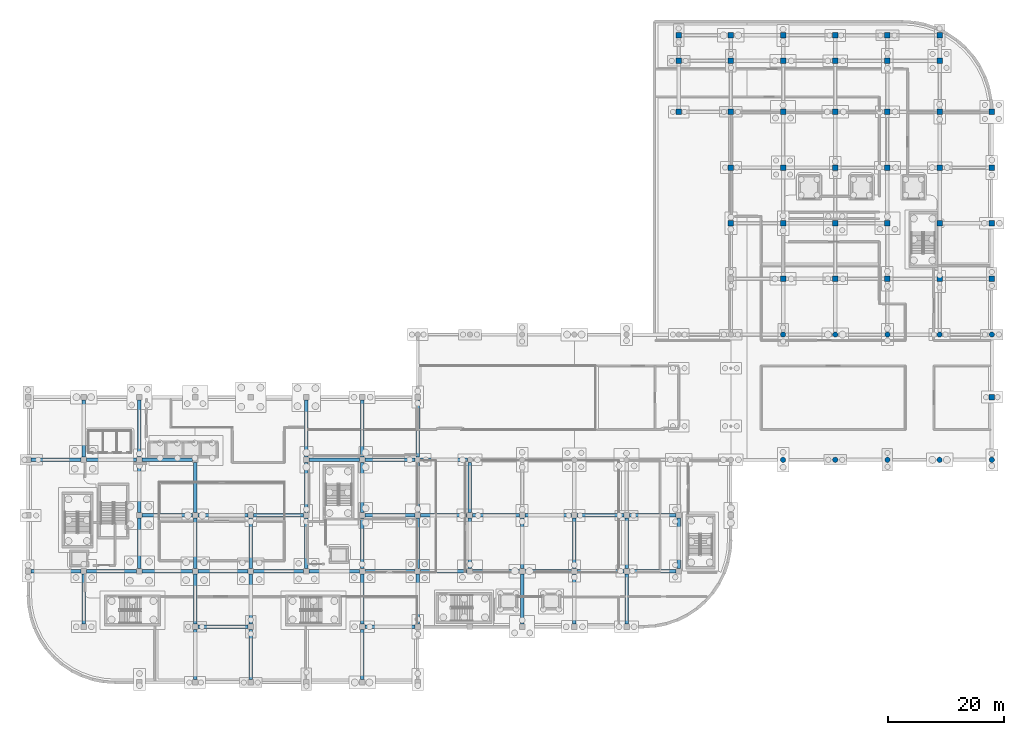
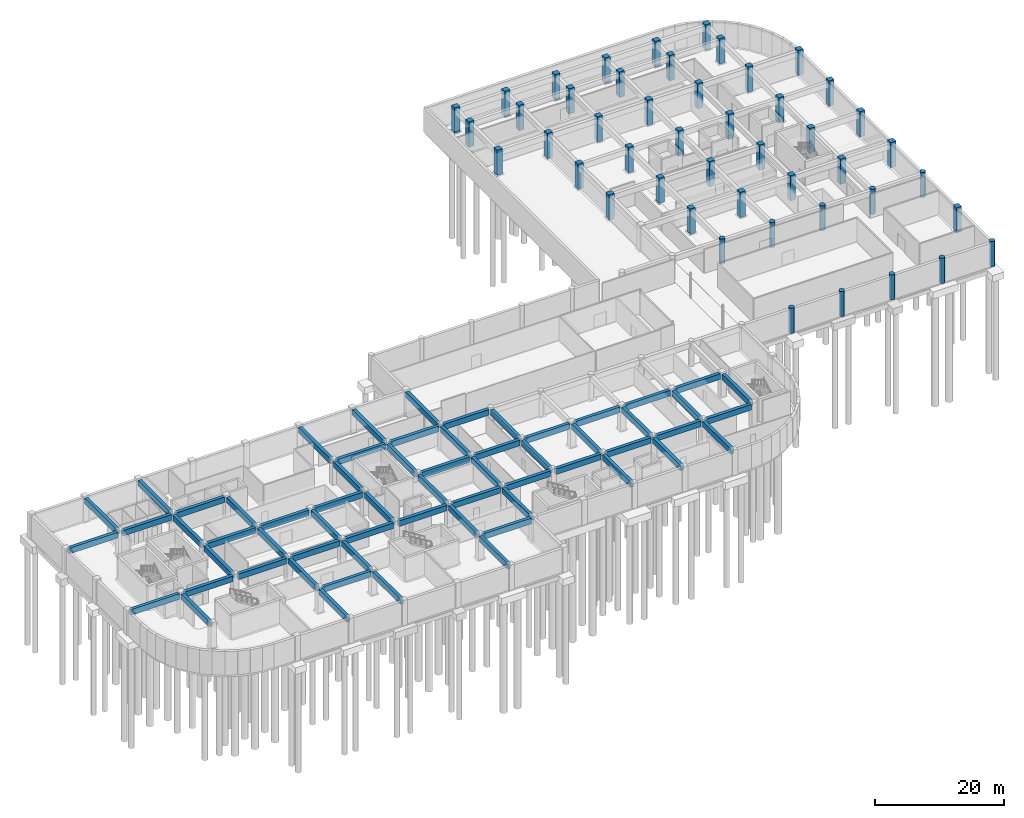
# One storey, part 10 of 47: 62 beams, 47 columns.
"""IFC4 building model written with IfcOpenShell, lengths in metres."""

from ifc_helpers import new_model, si_unit, direction, frame, origin, origin_2d, place, context, subcontext, project, spatial, rectangle, circle, extrude, material, material_profile, profile_set, type_object, element, save


model = new_model("IFC4")

# Units and contexts
model_context = context("Model", 3, precision=1e-05, world=origin(), true_north=direction((0.0, 1.0)))
body_context = subcontext(model_context, "Body", "Model", "MODEL_VIEW")
ifc_project = project(units=[si_unit("LENGTHUNIT", "METRE"), si_unit("AREAUNIT", "SQUARE_METRE"), si_unit("VOLUMEUNIT", "CUBIC_METRE"), si_unit("PLANEANGLEUNIT", "RADIAN"), si_unit("MASSUNIT", "GRAM", prefix="KILO")], contexts=[model_context])

# Site, building, storey
site_placement = place(None, origin())
site = spatial("IfcSite", under=ifc_project, at=site_placement, CompositionType="ELEMENT")
building_placement = place(site_placement, origin())
building = spatial("IfcBuilding", under=site, at=building_placement, Name="Cendralis Terraced Arcade", CompositionType="ELEMENT")
storey_placement = place(building_placement, frame((0.0, 0.0, -4.800048828125)))
storey = spatial("IfcBuildingStorey", under=building, at=storey_placement, Name="B1", CompositionType="ELEMENT", Elevation=-4.800048828125)

# Columns
ifc_material_1 = material(Name="Concrete f'c 42 MPa", Category="concrete")
ifc_material_profile_1 = material_profile(ifc_material_1, rectangle(XDim=0.949951171875, YDim=0.949951171875, at=origin_2d()), Name="RC-COL-950x950", Category="LoadBearing")
ifc_profile_set_1 = profile_set([ifc_material_profile_1], Name="Concrete f'c 42 MPa")
column_type_1 = type_object("IfcColumnType", Name="COL-950", PredefinedType="COLUMN", material=ifc_profile_set_1)
for number, where, z_axis, x_axis, name in (
    (1, (112.199951171875, 98.39990234375, 0.0), (0.0, 0.0, 1.0), (1.0, 0.0, 0.0), "Reinforced Concrete Column 13-L (B1)"),
    (2, (112.199951171875, 107.199951171875, 0.0), (0.0, 0.0, 1.0), (1.0, 0.0, 0.0), "Reinforced Concrete Column 13-M (B1)"),
    (3, (112.199951171875, 111.60009765625, 0.0), (0.0, 0.0, 1.0), (1.0, 0.0, 0.0), "Reinforced Concrete Column 13-N (B1)"),
    (4, (121.199951171875, 79.199951171875, 0.0), (0.0, 0.0, 1.0), (1.0, 0.0, 0.0), "Reinforced Concrete Column 14-J (B1)"),
    (5, (121.199951171875, 88.800048828125, 0.0), (0.0, 0.0, 1.0), (1.0, 0.0, 0.0), "Reinforced Concrete Column 14-K (B1)"),
    (6, (121.199951171875, 98.39990234375, 0.0), (0.0, 0.0, 1.0), (1.0, 0.0, 0.0), "Reinforced Concrete Column 14-L (B1)"),
    (7, (121.199951171875, 107.199951171875, 0.0), (0.0, 0.0, 1.0), (1.0, 0.0, 0.0), "Reinforced Concrete Column 14-M (B1)"),
    (8, (121.199951171875, 111.60009765625, 0.0), (0.0, 0.0, 1.0), (1.0, 0.0, 0.0), "Reinforced Concrete Column 14-N (B1)"),
    (9, (130.199951171875, 69.60009765625, 0.0), (0.0, 0.0, 1.0), (1.0, 0.0, 0.0), "Reinforced Concrete Column 15-H (B1)"),
    (10, (130.199951171875, 79.199951171875, 0.0), (0.0, 0.0, 1.0), (1.0, 0.0, 0.0), "Reinforced Concrete Column 15-J (B1)"),
    (11, (130.199951171875, 88.800048828125, 0.0), (0.0, 0.0, 1.0), (1.0, 0.0, 0.0), "Reinforced Concrete Column 15-K (B1)"),
    (12, (130.199951171875, 98.39990234375, 0.0), (0.0, 0.0, 1.0), (1.0, 0.0, 0.0), "Reinforced Concrete Column 15-L (B1)"),
    (13, (130.199951171875, 107.199951171875, 0.0), (0.0, 0.0, 1.0), (1.0, 0.0, 0.0), "Reinforced Concrete Column 15-M (B1)"),
    (14, (130.199951171875, 111.60009765625, 0.0), (0.0, 0.0, 1.0), (1.0, 0.0, 0.0), "Reinforced Concrete Column 15-N (B1)"),
    (15, (139.199951171875, 69.60009765625, 0.0), (0.0, 0.0, 1.0), (1.0, 0.0, 0.0), "Reinforced Concrete Column 16-H (B1)"),
    (16, (139.199951171875, 79.199951171875, 0.0), (0.0, 0.0, 1.0), (1.0, 0.0, 0.0), "Reinforced Concrete Column 16-J (B1)"),
    (17, (139.199951171875, 88.800048828125, 0.0), (0.0, 0.0, 1.0), (1.0, 0.0, 0.0), "Reinforced Concrete Column 16-K (B1)"),
    (18, (139.199951171875, 98.39990234375, 0.0), (0.0, 0.0, 1.0), (1.0, 0.0, 0.0), "Reinforced Concrete Column 16-L (B1)"),
    (19, (139.199951171875, 107.199951171875, 0.0), (0.0, 0.0, 1.0), (1.0, 0.0, 0.0), "Reinforced Concrete Column 16-M (B1)"),
    (20, (139.199951171875, 111.60009765625, 0.0), (0.0, 0.0, 1.0), (1.0, 0.0, 0.0), "Reinforced Concrete Column 16-N (B1)"),
    (21, (148.199951171875, 69.60009765625, 0.0), (0.0, 0.0, 1.0), (1.0, 0.0, 0.0), "Reinforced Concrete Column 17-H (B1)"),
    (22, (148.199951171875, 79.199951171875, 0.0), (0.0, 0.0, 1.0), (1.0, 0.0, 0.0), "Reinforced Concrete Column 17-J (B1)"),
    (23, (148.199951171875, 88.800048828125, 0.0), (0.0, 0.0, 1.0), (1.0, 0.0, 0.0), "Reinforced Concrete Column 17-K (B1)"),
    (24, (148.199951171875, 98.39990234375, 0.0), (0.0, 0.0, 1.0), (1.0, 0.0, 0.0), "Reinforced Concrete Column 17-L (B1)"),
    (25, (148.199951171875, 107.199951171875, 0.0), (0.0, 0.0, 1.0), (1.0, 0.0, 0.0), "Reinforced Concrete Column 17-M (B1)"),
    (26, (148.199951171875, 111.60009765625, 0.0), (0.0, 0.0, 1.0), (1.0, 0.0, 0.0), "Reinforced Concrete Column 17-N (B1)"),
    (27, (157.199951171875, 69.60009765625, 0.0), (0.0, 0.0, 1.0), (1.0, 0.0, 0.0), "Reinforced Concrete Column 18-H (B1)"),
    (28, (157.199951171875, 79.199951171875, 0.0), (0.0, 0.0, 1.0), (1.0, 0.0, 0.0), "Reinforced Concrete Column 18-J (B1)"),
    (29, (157.199951171875, 88.800048828125, 0.0), (0.0, 0.0, 1.0), (1.0, 0.0, 0.0), "Reinforced Concrete Column 18-K (B1)"),
    (30, (157.199951171875, 98.39990234375, 0.0), (0.0, 0.0, 1.0), (1.0, 0.0, 0.0), "Reinforced Concrete Column 18-L (B1)"),
    (31, (157.199951171875, 107.199951171875, 0.0), (0.0, 0.0, 1.0), (1.0, 0.0, 0.0), "Reinforced Concrete Column 18-M (B1)"),
    (32, (157.199951171875, 111.60009765625, 0.0), (0.0, 0.0, 1.0), (1.0, 0.0, 0.0), "Reinforced Concrete Column 18-N (B1)"),
    (33, (166.199951171875, 49.199951171875, 0.0), (0.0, 0.0, 1.0), (1.0, 0.0, 0.0), "Reinforced Concrete Column 19-F (B1)"),
    (34, (166.199951171875, 69.60009765625, 0.0), (0.0, 0.0, 1.0), (1.0, 0.0, 0.0), "Reinforced Concrete Column 19-H (B1)"),
    (35, (166.199951171875, 79.199951171875, 0.0), (0.0, 0.0, 1.0), (1.0, 0.0, 0.0), "Reinforced Concrete Column 19-J (B1)"),
    (36, (166.199951171875, 88.800048828125, 0.0), (0.0, 0.0, 1.0), (1.0, 0.0, 0.0), "Reinforced Concrete Column 19-K (B1)"),
    (37, (166.199951171875, 98.39990234375, 0.0), (0.0, 0.0, 1.0), (1.0, 0.0, 0.0), "Reinforced Concrete Column 19-L (B1)"),
):
    element("IfcColumn", number, at=place(storey_placement, frame(where, z_axis=z_axis, x_axis=x_axis)), inside=storey, type_object=column_type_1, Name=name, PredefinedType="COLUMN", context=body_context, shape_type="SweptSolid", body=[
        extrude(rectangle(XDim=0.949951171875, YDim=0.949951171875, at=origin_2d()), origin(), (0.0, 0.0, 1.0), 4.800048828125),
    ])
ifc_material_profile_2 = material_profile(ifc_material_1, circle(Radius=0.449951171875, at=origin_2d()), Name="RC-COL-D900", Category="LoadBearing")
ifc_profile_set_2 = profile_set([ifc_material_profile_2], Name="Concrete f'c 42 MPa")
column_type_2 = type_object("IfcColumnType", Name="COL-D900", PredefinedType="COLUMN", material=ifc_profile_set_2)
for number, where, z_axis, x_axis, name in (
    (38, (130.199951171875, 38.39990234375, 0.0), (0.0, 0.0, 1.0), (1.0, 0.0, 0.0), "Reinforced Concrete Column 15-E (B1)"),
    (39, (130.199951171875, 60.0, 0.0), (0.0, 0.0, 1.0), (1.0, 0.0, 0.0), "Reinforced Concrete Column 15-G (B1)"),
    (40, (139.199951171875, 38.39990234375, 0.0), (0.0, 0.0, 1.0), (1.0, 0.0, 0.0), "Reinforced Concrete Column 16-E (B1)"),
    (41, (139.199951171875, 60.0, 0.0), (0.0, 0.0, 1.0), (1.0, 0.0, 0.0), "Reinforced Concrete Column 16-G (B1)"),
    (42, (148.199951171875, 38.39990234375, 0.0), (0.0, 0.0, 1.0), (1.0, 0.0, 0.0), "Reinforced Concrete Column 17-E (B1)"),
    (43, (148.199951171875, 60.0, 0.0), (0.0, 0.0, 1.0), (1.0, 0.0, 0.0), "Reinforced Concrete Column 17-G (B1)"),
    (44, (157.199951171875, 38.39990234375, 0.0), (0.0, 0.0, 1.0), (1.0, 0.0, 0.0), "Reinforced Concrete Column 18-E (B1)"),
    (45, (157.199951171875, 60.0, 0.0), (0.0, 0.0, 1.0), (1.0, 0.0, 0.0), "Reinforced Concrete Column 18-G (B1)"),
    (46, (166.199951171875, 38.39990234375, 0.0), (0.0, 0.0, 1.0), (1.0, 0.0, 0.0), "Reinforced Concrete Column 19-E (B1)"),
    (47, (166.199951171875, 60.0, 0.0), (0.0, 0.0, 1.0), (1.0, 0.0, 0.0), "Reinforced Concrete Column 19-G (B1)"),
):
    element("IfcColumn", number, at=place(storey_placement, frame(where, z_axis=z_axis, x_axis=x_axis)), inside=storey, type_object=column_type_2, Name=name, PredefinedType="COLUMN", context=body_context, shape_type="SweptSolid", body=[
        extrude(circle(Radius=0.449951171875, at=origin_2d()), origin(), (0.0, 0.0, 1.0), 4.800048828125),
    ])

# Beams
ifc_material_2 = material(Name="Concrete f'c 35 MPa", Category="concrete")
ifc_material_profile_3 = material_profile(ifc_material_2, rectangle(XDim=0.60009765625, YDim=1.050048828125, at=origin_2d()), Name="RC-BM-600x1050", Category="LoadBearing")
ifc_profile_set_3 = profile_set([ifc_material_profile_3], Name="Concrete f'c 35 MPa")
beam_type = type_object("IfcBeamType", Name="BM-600x1050", PredefinedType="JOIST", material=ifc_profile_set_3)
for number, where, z_axis, x_axis, name in (
    (48, (29.27490234375, 9.60009765625, 3.97509765625), (1.0, 0.0, 0.0), (0.0, 1.0, 0.0), "Reinforced Concrete Frame Beam BM-X-L00-B-4_5"),
    (49, (58.074951171875, 9.60009765625, 3.97509765625), (1.0, 0.0, 0.0), (0.0, 1.0, 0.0), "Reinforced Concrete Frame Beam BM-X-L00-B-7_8"),
):
    element("IfcBeam", number, at=place(storey_placement, frame(where, z_axis=z_axis, x_axis=x_axis)), inside=storey, type_object=beam_type, Name=name, PredefinedType="JOIST", context=body_context, shape_type="SweptSolid", body=[
        extrude(rectangle(XDim=0.60009765625, YDim=1.050048828125, at=origin_2d()), origin(), (0.0, 0.0, 1.0), 8.650146484375),
    ])
beam_1_placement = place(storey_placement, frame((0.47509765625, 19.199951171875, 3.97509765625), z_axis=(1.0, 0.0, 0.0), x_axis=(0.0, 1.0, 0.0)))
element("IfcBeam", 50, at=beam_1_placement, inside=storey, type_object=beam_type, Name="Reinforced Concrete Frame Beam BM-X-L00-C-1_2", PredefinedType="JOIST", context=body_context, shape_type="SweptSolid", body=[
    extrude(rectangle(XDim=0.60009765625, YDim=1.050048828125, at=origin_2d()), origin(), (0.0, 0.0, 1.0), 8.64990234375),
])
beam_2_placement = place(storey_placement, frame((10.074951171875, 19.199951171875, 3.97509765625), z_axis=(1.0, 0.0, 0.0), x_axis=(0.0, 1.0, 0.0)))
element("IfcBeam", 51, at=beam_2_placement, inside=storey, type_object=beam_type, Name="Reinforced Concrete Frame Beam BM-X-L00-C-2_3", PredefinedType="JOIST", context=body_context, shape_type="SweptSolid", body=[
    extrude(rectangle(XDim=0.60009765625, YDim=1.050048828125, at=origin_2d()), origin(), (0.0, 0.0, 1.0), 8.650146484375),
])
beam_3_placement = place(storey_placement, frame((19.675048828125, 19.199951171875, 3.97509765625), z_axis=(1.0, 0.0, 0.0), x_axis=(0.0, 1.0, 0.0)))
element("IfcBeam", 52, at=beam_3_placement, inside=storey, type_object=beam_type, Name="Reinforced Concrete Frame Beam BM-X-L00-C-3_4", PredefinedType="JOIST", context=body_context, shape_type="SweptSolid", body=[
    extrude(rectangle(XDim=0.60009765625, YDim=1.050048828125, at=origin_2d()), origin(), (0.0, 0.0, 1.0), 8.64990234375),
])
beam_4_placement = place(storey_placement, frame((29.27490234375, 19.199951171875, 3.97509765625), z_axis=(1.0, 0.0, 0.0), x_axis=(0.0, 1.0, 0.0)))
element("IfcBeam", 53, at=beam_4_placement, inside=storey, type_object=beam_type, Name="Reinforced Concrete Frame Beam BM-X-L00-C-4_5", PredefinedType="JOIST", context=body_context, shape_type="SweptSolid", body=[
    extrude(rectangle(XDim=0.60009765625, YDim=1.050048828125, at=origin_2d()), origin(), (0.0, 0.0, 1.0), 8.650146484375),
])
for number, where, z_axis, x_axis, name in (
    (54, (38.875, 19.199951171875, 3.97509765625), (1.0, 0.0, 0.0), (0.0, 1.0, 0.0), "Reinforced Concrete Frame Beam BM-X-L00-C-5_6"),
    (55, (48.47509765625, 19.199951171875, 3.97509765625), (1.0, 0.0, 0.0), (0.0, 1.0, 0.0), "Reinforced Concrete Frame Beam BM-X-L00-C-6_7"),
):
    element("IfcBeam", number, at=place(storey_placement, frame(where, z_axis=z_axis, x_axis=x_axis)), inside=storey, type_object=beam_type, Name=name, PredefinedType="JOIST", context=body_context, shape_type="SweptSolid", body=[
        extrude(rectangle(XDim=0.60009765625, YDim=1.050048828125, at=origin_2d()), origin(), (0.0, 0.0, 1.0), 8.64990234375),
    ])
beam_5_placement = place(storey_placement, frame((58.074951171875, 19.199951171875, 3.97509765625), z_axis=(1.0, 0.0, 0.0), x_axis=(0.0, 1.0, 0.0)))
element("IfcBeam", 56, at=beam_5_placement, inside=storey, type_object=beam_type, Name="Reinforced Concrete Frame Beam BM-X-L00-C-7_8", PredefinedType="JOIST", context=body_context, shape_type="SweptSolid", body=[
    extrude(rectangle(XDim=0.60009765625, YDim=1.050048828125, at=origin_2d()), origin(), (0.0, 0.0, 1.0), 8.650146484375),
])
for number, where, z_axis, x_axis, name in (
    (57, (67.675048828125, 19.199951171875, 3.97509765625), (1.0, 0.0, 0.0), (0.0, 1.0, 0.0), "Reinforced Concrete Frame Beam BM-X-L00-C-8_9"),
    (58, (76.675048828125, 19.199951171875, 3.97509765625), (1.0, 0.0, 0.0), (0.0, 1.0, 0.0), "Reinforced Concrete Frame Beam BM-X-L00-C-9_10"),
    (59, (85.675048828125, 19.199951171875, 3.97509765625), (1.0, 0.0, 0.0), (0.0, 1.0, 0.0), "Reinforced Concrete Frame Beam BM-X-L00-C-10_11"),
    (60, (94.675048828125, 19.199951171875, 3.97509765625), (1.0, 0.0, 0.0), (0.0, 1.0, 0.0), "Reinforced Concrete Frame Beam BM-X-L00-C-11_12"),
    (61, (103.675048828125, 19.199951171875, 3.97509765625), (1.0, 0.0, 0.0), (0.0, 1.0, 0.0), "Reinforced Concrete Frame Beam BM-X-L00-C-12_13"),
):
    element("IfcBeam", number, at=place(storey_placement, frame(where, z_axis=z_axis, x_axis=x_axis)), inside=storey, type_object=beam_type, Name=name, PredefinedType="JOIST", context=body_context, shape_type="SweptSolid", body=[
        extrude(rectangle(XDim=0.60009765625, YDim=1.050048828125, at=origin_2d()), origin(), (0.0, 0.0, 1.0), 8.050048828125),
    ])
beam_6_placement = place(storey_placement, frame((19.675048828125, 28.800048828125, 3.97509765625), z_axis=(1.0, 0.0, 0.0), x_axis=(0.0, 1.0, 0.0)))
element("IfcBeam", 62, at=beam_6_placement, inside=storey, type_object=beam_type, Name="Reinforced Concrete Frame Beam BM-X-L00-D-3_4", PredefinedType="JOIST", context=body_context, shape_type="SweptSolid", body=[
    extrude(rectangle(XDim=0.60009765625, YDim=1.050048828125, at=origin_2d()), origin(), (0.0, 0.0, 1.0), 8.64990234375),
])
beam_7_placement = place(storey_placement, frame((29.27490234375, 28.800048828125, 3.97509765625), z_axis=(1.0, 0.0, 0.0), x_axis=(0.0, 1.0, 0.0)))
element("IfcBeam", 63, at=beam_7_placement, inside=storey, type_object=beam_type, Name="Reinforced Concrete Frame Beam BM-X-L00-D-4_5", PredefinedType="JOIST", context=body_context, shape_type="SweptSolid", body=[
    extrude(rectangle(XDim=0.60009765625, YDim=1.050048828125, at=origin_2d()), origin(), (0.0, 0.0, 1.0), 8.650146484375),
])
beam_8_placement = place(storey_placement, frame((38.875, 28.800048828125, 3.97509765625), z_axis=(1.0, 0.0, 0.0), x_axis=(0.0, 1.0, 0.0)))
element("IfcBeam", 64, at=beam_8_placement, inside=storey, type_object=beam_type, Name="Reinforced Concrete Frame Beam BM-X-L00-D-5_6", PredefinedType="JOIST", context=body_context, shape_type="SweptSolid", body=[
    extrude(rectangle(XDim=0.60009765625, YDim=1.050048828125, at=origin_2d()), origin(), (0.0, 0.0, 1.0), 8.64990234375),
])
beam_9_placement = place(storey_placement, frame((58.074951171875, 28.800048828125, 3.97509765625), z_axis=(1.0, 0.0, 0.0), x_axis=(0.0, 1.0, 0.0)))
element("IfcBeam", 65, at=beam_9_placement, inside=storey, type_object=beam_type, Name="Reinforced Concrete Frame Beam BM-X-L00-D-7_8", PredefinedType="JOIST", context=body_context, shape_type="SweptSolid", body=[
    extrude(rectangle(XDim=0.60009765625, YDim=1.050048828125, at=origin_2d()), origin(), (0.0, 0.0, 1.0), 8.650146484375),
])
for number, where, z_axis, x_axis, name in (
    (66, (67.675048828125, 28.800048828125, 3.97509765625), (1.0, 0.0, 0.0), (0.0, 1.0, 0.0), "Reinforced Concrete Frame Beam BM-X-L00-D-8_9"),
    (67, (76.675048828125, 28.800048828125, 3.97509765625), (1.0, 0.0, 0.0), (0.0, 1.0, 0.0), "Reinforced Concrete Frame Beam BM-X-L00-D-9_10"),
    (68, (85.675048828125, 28.800048828125, 3.97509765625), (1.0, 0.0, 0.0), (0.0, 1.0, 0.0), "Reinforced Concrete Frame Beam BM-X-L00-D-10_11"),
    (69, (94.675048828125, 28.800048828125, 3.97509765625), (1.0, 0.0, 0.0), (0.0, 1.0, 0.0), "Reinforced Concrete Frame Beam BM-X-L00-D-11_12"),
    (70, (103.675048828125, 28.800048828125, 3.97509765625), (1.0, 0.0, 0.0), (0.0, 1.0, 0.0), "Reinforced Concrete Frame Beam BM-X-L00-D-12_13"),
):
    element("IfcBeam", number, at=place(storey_placement, frame(where, z_axis=z_axis, x_axis=x_axis)), inside=storey, type_object=beam_type, Name=name, PredefinedType="JOIST", context=body_context, shape_type="SweptSolid", body=[
        extrude(rectangle(XDim=0.60009765625, YDim=1.050048828125, at=origin_2d()), origin(), (0.0, 0.0, 1.0), 8.050048828125),
    ])
beam_10_placement = place(storey_placement, frame((0.47509765625, 38.39990234375, 3.97509765625), z_axis=(1.0, 0.0, 0.0), x_axis=(0.0, 1.0, 0.0)))
element("IfcBeam", 71, at=beam_10_placement, inside=storey, type_object=beam_type, Name="Reinforced Concrete Frame Beam BM-X-L00-E-1_2", PredefinedType="JOIST", context=body_context, shape_type="SweptSolid", body=[
    extrude(rectangle(XDim=0.60009765625, YDim=1.050048828125, at=origin_2d()), origin(), (0.0, 0.0, 1.0), 8.64990234375),
])
beam_11_placement = place(storey_placement, frame((10.074951171875, 38.39990234375, 3.97509765625), z_axis=(1.0, 0.0, 0.0), x_axis=(0.0, 1.0, 0.0)))
element("IfcBeam", 72, at=beam_11_placement, inside=storey, type_object=beam_type, Name="Reinforced Concrete Frame Beam BM-X-L00-E-2_3", PredefinedType="JOIST", context=body_context, shape_type="SweptSolid", body=[
    extrude(rectangle(XDim=0.60009765625, YDim=1.050048828125, at=origin_2d()), origin(), (0.0, 0.0, 1.0), 8.650146484375),
])
for number, where, z_axis, x_axis, name in (
    (73, (19.675048828125, 38.39990234375, 3.97509765625), (1.0, 0.0, 0.0), (0.0, 1.0, 0.0), "Reinforced Concrete Frame Beam BM-X-L00-E-3_4"),
    (74, (48.47509765625, 38.39990234375, 3.97509765625), (1.0, 0.0, 0.0), (0.0, 1.0, 0.0), "Reinforced Concrete Frame Beam BM-X-L00-E-6_7"),
):
    element("IfcBeam", number, at=place(storey_placement, frame(where, z_axis=z_axis, x_axis=x_axis)), inside=storey, type_object=beam_type, Name=name, PredefinedType="JOIST", context=body_context, shape_type="SweptSolid", body=[
        extrude(rectangle(XDim=0.60009765625, YDim=1.050048828125, at=origin_2d()), origin(), (0.0, 0.0, 1.0), 8.64990234375),
    ])
beam_12_placement = place(storey_placement, frame((58.074951171875, 38.39990234375, 3.97509765625), z_axis=(1.0, 0.0, 0.0), x_axis=(0.0, 1.0, 0.0)))
element("IfcBeam", 75, at=beam_12_placement, inside=storey, type_object=beam_type, Name="Reinforced Concrete Frame Beam BM-X-L00-E-7_8", PredefinedType="JOIST", context=body_context, shape_type="SweptSolid", body=[
    extrude(rectangle(XDim=0.60009765625, YDim=1.050048828125, at=origin_2d()), origin(), (0.0, 0.0, 1.0), 8.675048828125),
])
beam_13_placement = place(storey_placement, frame((67.64990234375, 38.39990234375, 3.97509765625), z_axis=(1.0, 0.0, 0.0), x_axis=(0.0, 1.0, 0.0)))
element("IfcBeam", 76, at=beam_13_placement, inside=storey, type_object=beam_type, Name="Reinforced Concrete Frame Beam BM-X-L00-E-8_9", PredefinedType="JOIST", context=body_context, shape_type="SweptSolid", body=[
    extrude(rectangle(XDim=0.60009765625, YDim=1.050048828125, at=origin_2d()), origin(), (0.0, 0.0, 1.0), 8.10009765625),
])
beam_14_placement = place(storey_placement, frame((9.60009765625, 10.074951171875, 3.97509765625), z_axis=(0.0, 1.0, 0.0), x_axis=(-1.0, 0.0, 0.0)))
element("IfcBeam", 77, at=beam_14_placement, inside=storey, type_object=beam_type, Name="Reinforced Concrete Frame Beam BM-Y-L00-2-B_C", PredefinedType="JOIST", context=body_context, shape_type="SweptSolid", body=[
    extrude(rectangle(XDim=0.60009765625, YDim=1.050048828125, at=origin_2d()), origin(), (0.0, 0.0, 1.0), 8.650146484375),
])
beam_15_placement = place(storey_placement, frame((9.60009765625, 38.875, 3.97509765625), z_axis=(0.0, 1.0, 0.0), x_axis=(-1.0, 0.0, 0.0)))
element("IfcBeam", 78, at=beam_15_placement, inside=storey, type_object=beam_type, Name="Reinforced Concrete Frame Beam BM-Y-L00-2-E_F", PredefinedType="JOIST", context=body_context, shape_type="SweptSolid", body=[
    extrude(rectangle(XDim=0.60009765625, YDim=1.050048828125, at=origin_2d()), origin(), (0.0, 0.0, 1.0), 9.85009765625),
])
beam_16_placement = place(storey_placement, frame((19.199951171875, 19.675048828125, 3.97509765625), z_axis=(0.0, 1.0, 0.0), x_axis=(-1.0, 0.0, 0.0)))
element("IfcBeam", 79, at=beam_16_placement, inside=storey, type_object=beam_type, Name="Reinforced Concrete Frame Beam BM-Y-L00-3-C_D", PredefinedType="JOIST", context=body_context, shape_type="SweptSolid", body=[
    extrude(rectangle(XDim=0.60009765625, YDim=1.050048828125, at=origin_2d()), origin(), (0.0, 0.0, 1.0), 8.64990234375),
])
beam_17_placement = place(storey_placement, frame((19.199951171875, 29.27490234375, 3.97509765625), z_axis=(0.0, 1.0, 0.0), x_axis=(-1.0, 0.0, 0.0)))
element("IfcBeam", 80, at=beam_17_placement, inside=storey, type_object=beam_type, Name="Reinforced Concrete Frame Beam BM-Y-L00-3-D_E", PredefinedType="JOIST", context=body_context, shape_type="SweptSolid", body=[
    extrude(rectangle(XDim=0.60009765625, YDim=1.050048828125, at=origin_2d()), origin(), (0.0, 0.0, 1.0), 8.650146484375),
])
beam_18_placement = place(storey_placement, frame((19.199951171875, 38.875, 3.97509765625), z_axis=(0.0, 1.0, 0.0), x_axis=(-1.0, 0.0, 0.0)))
element("IfcBeam", 81, at=beam_18_placement, inside=storey, type_object=beam_type, Name="Reinforced Concrete Frame Beam BM-Y-L00-3-E_F", PredefinedType="JOIST", context=body_context, shape_type="SweptSolid", body=[
    extrude(rectangle(XDim=0.60009765625, YDim=1.050048828125, at=origin_2d()), origin(), (0.0, 0.0, 1.0), 9.85009765625),
])
beam_19_placement = place(storey_placement, frame((28.800048828125, 0.47509765625, 3.97509765625), z_axis=(0.0, 1.0, 0.0), x_axis=(-1.0, 0.0, 0.0)))
element("IfcBeam", 82, at=beam_19_placement, inside=storey, type_object=beam_type, Name="Reinforced Concrete Frame Beam BM-Y-L00-4-A_B", PredefinedType="JOIST", context=body_context, shape_type="SweptSolid", body=[
    extrude(rectangle(XDim=0.60009765625, YDim=1.050048828125, at=origin_2d()), origin(), (0.0, 0.0, 1.0), 8.64990234375),
])
beam_20_placement = place(storey_placement, frame((28.800048828125, 10.074951171875, 3.97509765625), z_axis=(0.0, 1.0, 0.0), x_axis=(-1.0, 0.0, 0.0)))
element("IfcBeam", 83, at=beam_20_placement, inside=storey, type_object=beam_type, Name="Reinforced Concrete Frame Beam BM-Y-L00-4-B_C", PredefinedType="JOIST", context=body_context, shape_type="SweptSolid", body=[
    extrude(rectangle(XDim=0.60009765625, YDim=1.050048828125, at=origin_2d()), origin(), (0.0, 0.0, 1.0), 8.650146484375),
])
beam_21_placement = place(storey_placement, frame((28.800048828125, 19.675048828125, 3.97509765625), z_axis=(0.0, 1.0, 0.0), x_axis=(-1.0, 0.0, 0.0)))
element("IfcBeam", 84, at=beam_21_placement, inside=storey, type_object=beam_type, Name="Reinforced Concrete Frame Beam BM-Y-L00-4-C_D", PredefinedType="JOIST", context=body_context, shape_type="SweptSolid", body=[
    extrude(rectangle(XDim=0.60009765625, YDim=1.050048828125, at=origin_2d()), origin(), (0.0, 0.0, 1.0), 8.64990234375),
])
beam_22_placement = place(storey_placement, frame((28.800048828125, 29.27490234375, 3.97509765625), z_axis=(0.0, 1.0, 0.0), x_axis=(-1.0, 0.0, 0.0)))
element("IfcBeam", 85, at=beam_22_placement, inside=storey, type_object=beam_type, Name="Reinforced Concrete Frame Beam BM-Y-L00-4-D_E", PredefinedType="JOIST", context=body_context, shape_type="SweptSolid", body=[
    extrude(rectangle(XDim=0.60009765625, YDim=1.050048828125, at=origin_2d()), origin(), (0.0, 0.0, 1.0), 8.650146484375),
])
beam_23_placement = place(storey_placement, frame((38.39990234375, 0.47509765625, 3.97509765625), z_axis=(0.0, 1.0, 0.0), x_axis=(-1.0, 0.0, 0.0)))
element("IfcBeam", 86, at=beam_23_placement, inside=storey, type_object=beam_type, Name="Reinforced Concrete Frame Beam BM-Y-L00-5-A_B", PredefinedType="JOIST", context=body_context, shape_type="SweptSolid", body=[
    extrude(rectangle(XDim=0.60009765625, YDim=1.050048828125, at=origin_2d()), origin(), (0.0, 0.0, 1.0), 8.64990234375),
])
beam_24_placement = place(storey_placement, frame((38.39990234375, 10.074951171875, 3.97509765625), z_axis=(0.0, 1.0, 0.0), x_axis=(-1.0, 0.0, 0.0)))
element("IfcBeam", 87, at=beam_24_placement, inside=storey, type_object=beam_type, Name="Reinforced Concrete Frame Beam BM-Y-L00-5-B_C", PredefinedType="JOIST", context=body_context, shape_type="SweptSolid", body=[
    extrude(rectangle(XDim=0.60009765625, YDim=1.050048828125, at=origin_2d()), origin(), (0.0, 0.0, 1.0), 8.650146484375),
])
for number, where, z_axis, x_axis, name in (
    (88, (38.39990234375, 19.675048828125, 3.97509765625), (0.0, 1.0, 0.0), (-1.0, 0.0, 0.0), "Reinforced Concrete Frame Beam BM-Y-L00-5-C_D"),
    (89, (48.0, 19.675048828125, 3.97509765625), (0.0, 1.0, 0.0), (-1.0, 0.0, 0.0), "Reinforced Concrete Frame Beam BM-Y-L00-6-C_D"),
):
    element("IfcBeam", number, at=place(storey_placement, frame(where, z_axis=z_axis, x_axis=x_axis)), inside=storey, type_object=beam_type, Name=name, PredefinedType="JOIST", context=body_context, shape_type="SweptSolid", body=[
        extrude(rectangle(XDim=0.60009765625, YDim=1.050048828125, at=origin_2d()), origin(), (0.0, 0.0, 1.0), 8.64990234375),
    ])
beam_25_placement = place(storey_placement, frame((48.0, 29.27490234375, 3.97509765625), z_axis=(0.0, 1.0, 0.0), x_axis=(-1.0, 0.0, 0.0)))
element("IfcBeam", 90, at=beam_25_placement, inside=storey, type_object=beam_type, Name="Reinforced Concrete Frame Beam BM-Y-L00-6-D_E", PredefinedType="JOIST", context=body_context, shape_type="SweptSolid", body=[
    extrude(rectangle(XDim=0.60009765625, YDim=1.050048828125, at=origin_2d()), origin(), (0.0, 0.0, 1.0), 8.650146484375),
])
beam_26_placement = place(storey_placement, frame((48.0, 38.875, 3.97509765625), z_axis=(0.0, 1.0, 0.0), x_axis=(-1.0, 0.0, 0.0)))
element("IfcBeam", 91, at=beam_26_placement, inside=storey, type_object=beam_type, Name="Reinforced Concrete Frame Beam BM-Y-L00-6-E_F", PredefinedType="JOIST", context=body_context, shape_type="SweptSolid", body=[
    extrude(rectangle(XDim=0.60009765625, YDim=1.050048828125, at=origin_2d()), origin(), (0.0, 0.0, 1.0), 9.85009765625),
])
beam_27_placement = place(storey_placement, frame((57.60009765625, 0.47509765625, 3.97509765625), z_axis=(0.0, 1.0, 0.0), x_axis=(-1.0, 0.0, 0.0)))
element("IfcBeam", 92, at=beam_27_placement, inside=storey, type_object=beam_type, Name="Reinforced Concrete Frame Beam BM-Y-L00-7-A_B", PredefinedType="JOIST", context=body_context, shape_type="SweptSolid", body=[
    extrude(rectangle(XDim=0.60009765625, YDim=1.050048828125, at=origin_2d()), origin(), (0.0, 0.0, 1.0), 8.64990234375),
])
beam_28_placement = place(storey_placement, frame((57.60009765625, 10.074951171875, 3.97509765625), z_axis=(0.0, 1.0, 0.0), x_axis=(-1.0, 0.0, 0.0)))
element("IfcBeam", 93, at=beam_28_placement, inside=storey, type_object=beam_type, Name="Reinforced Concrete Frame Beam BM-Y-L00-7-B_C", PredefinedType="JOIST", context=body_context, shape_type="SweptSolid", body=[
    extrude(rectangle(XDim=0.60009765625, YDim=1.050048828125, at=origin_2d()), origin(), (0.0, 0.0, 1.0), 8.650146484375),
])
beam_29_placement = place(storey_placement, frame((57.60009765625, 19.675048828125, 3.97509765625), z_axis=(0.0, 1.0, 0.0), x_axis=(-1.0, 0.0, 0.0)))
element("IfcBeam", 94, at=beam_29_placement, inside=storey, type_object=beam_type, Name="Reinforced Concrete Frame Beam BM-Y-L00-7-C_D", PredefinedType="JOIST", context=body_context, shape_type="SweptSolid", body=[
    extrude(rectangle(XDim=0.60009765625, YDim=1.050048828125, at=origin_2d()), origin(), (0.0, 0.0, 1.0), 8.64990234375),
])
beam_30_placement = place(storey_placement, frame((57.60009765625, 29.27490234375, 3.97509765625), z_axis=(0.0, 1.0, 0.0), x_axis=(-1.0, 0.0, 0.0)))
element("IfcBeam", 95, at=beam_30_placement, inside=storey, type_object=beam_type, Name="Reinforced Concrete Frame Beam BM-Y-L00-7-D_E", PredefinedType="JOIST", context=body_context, shape_type="SweptSolid", body=[
    extrude(rectangle(XDim=0.60009765625, YDim=1.050048828125, at=origin_2d()), origin(), (0.0, 0.0, 1.0), 8.650146484375),
])
beam_31_placement = place(storey_placement, frame((57.60009765625, 38.875, 3.97509765625), z_axis=(0.0, 1.0, 0.0), x_axis=(-1.0, 0.0, 0.0)))
element("IfcBeam", 96, at=beam_31_placement, inside=storey, type_object=beam_type, Name="Reinforced Concrete Frame Beam BM-Y-L00-7-E_F", PredefinedType="JOIST", context=body_context, shape_type="SweptSolid", body=[
    extrude(rectangle(XDim=0.60009765625, YDim=1.050048828125, at=origin_2d()), origin(), (0.0, 0.0, 1.0), 9.85009765625),
])
beam_32_placement = place(storey_placement, frame((67.199951171875, 10.074951171875, 3.97509765625), z_axis=(0.0, 1.0, 0.0), x_axis=(-1.0, 0.0, 0.0)))
element("IfcBeam", 97, at=beam_32_placement, inside=storey, type_object=beam_type, Name="Reinforced Concrete Frame Beam BM-Y-L00-8-B_C", PredefinedType="JOIST", context=body_context, shape_type="SweptSolid", body=[
    extrude(rectangle(XDim=0.60009765625, YDim=1.050048828125, at=origin_2d()), origin(), (0.0, 0.0, 1.0), 8.650146484375),
])
beam_33_placement = place(storey_placement, frame((67.199951171875, 19.675048828125, 3.97509765625), z_axis=(0.0, 1.0, 0.0), x_axis=(-1.0, 0.0, 0.0)))
element("IfcBeam", 98, at=beam_33_placement, inside=storey, type_object=beam_type, Name="Reinforced Concrete Frame Beam BM-Y-L00-8-C_D", PredefinedType="JOIST", context=body_context, shape_type="SweptSolid", body=[
    extrude(rectangle(XDim=0.60009765625, YDim=1.050048828125, at=origin_2d()), origin(), (0.0, 0.0, 1.0), 8.64990234375),
])
beam_34_placement = place(storey_placement, frame((67.199951171875, 29.27490234375, 3.97509765625), z_axis=(0.0, 1.0, 0.0), x_axis=(-1.0, 0.0, 0.0)))
element("IfcBeam", 99, at=beam_34_placement, inside=storey, type_object=beam_type, Name="Reinforced Concrete Frame Beam BM-Y-L00-8-D_E", PredefinedType="JOIST", context=body_context, shape_type="SweptSolid", body=[
    extrude(rectangle(XDim=0.60009765625, YDim=1.050048828125, at=origin_2d()), origin(), (0.0, 0.0, 1.0), 8.675048828125),
])
beam_35_placement = place(storey_placement, frame((67.199951171875, 38.85009765625, 3.97509765625), z_axis=(0.0, 1.0, 0.0), x_axis=(-1.0, 0.0, 0.0)))
element("IfcBeam", 100, at=beam_35_placement, inside=storey, type_object=beam_type, Name="Reinforced Concrete Frame Beam BM-Y-L00-8-E_F", PredefinedType="JOIST", context=body_context, shape_type="SweptSolid", body=[
    extrude(rectangle(XDim=0.60009765625, YDim=1.050048828125, at=origin_2d()), origin(), (0.0, 0.0, 1.0), 9.875),
])
beam_36_placement = place(storey_placement, frame((76.199951171875, 19.675048828125, 3.97509765625), z_axis=(0.0, 1.0, 0.0), x_axis=(-1.0, 0.0, 0.0)))
element("IfcBeam", 101, at=beam_36_placement, inside=storey, type_object=beam_type, Name="Reinforced Concrete Frame Beam BM-Y-L00-9-C_D", PredefinedType="JOIST", context=body_context, shape_type="SweptSolid", body=[
    extrude(rectangle(XDim=0.60009765625, YDim=1.050048828125, at=origin_2d()), origin(), (0.0, 0.0, 1.0), 8.64990234375),
])
beam_37_placement = place(storey_placement, frame((76.199951171875, 29.27490234375, 3.97509765625), z_axis=(0.0, 1.0, 0.0), x_axis=(-1.0, 0.0, 0.0)))
element("IfcBeam", 102, at=beam_37_placement, inside=storey, type_object=beam_type, Name="Reinforced Concrete Frame Beam BM-Y-L00-9-D_E", PredefinedType="JOIST", context=body_context, shape_type="SweptSolid", body=[
    extrude(rectangle(XDim=0.60009765625, YDim=1.050048828125, at=origin_2d()), origin(), (0.0, 0.0, 1.0), 8.675048828125),
])
beam_38_placement = place(storey_placement, frame((85.199951171875, 10.074951171875, 3.97509765625), z_axis=(0.0, 1.0, 0.0), x_axis=(-1.0, 0.0, 0.0)))
element("IfcBeam", 103, at=beam_38_placement, inside=storey, type_object=beam_type, Name="Reinforced Concrete Frame Beam BM-Y-L00-10-B_C", PredefinedType="JOIST", context=body_context, shape_type="SweptSolid", body=[
    extrude(rectangle(XDim=0.60009765625, YDim=1.050048828125, at=origin_2d()), origin(), (0.0, 0.0, 1.0), 8.650146484375),
])
beam_39_placement = place(storey_placement, frame((85.199951171875, 19.675048828125, 3.97509765625), z_axis=(0.0, 1.0, 0.0), x_axis=(-1.0, 0.0, 0.0)))
element("IfcBeam", 104, at=beam_39_placement, inside=storey, type_object=beam_type, Name="Reinforced Concrete Frame Beam BM-Y-L00-10-C_D", PredefinedType="JOIST", context=body_context, shape_type="SweptSolid", body=[
    extrude(rectangle(XDim=0.60009765625, YDim=1.050048828125, at=origin_2d()), origin(), (0.0, 0.0, 1.0), 8.64990234375),
])
beam_40_placement = place(storey_placement, frame((94.199951171875, 10.074951171875, 3.97509765625), z_axis=(0.0, 1.0, 0.0), x_axis=(-1.0, 0.0, 0.0)))
element("IfcBeam", 105, at=beam_40_placement, inside=storey, type_object=beam_type, Name="Reinforced Concrete Frame Beam BM-Y-L00-11-B_C", PredefinedType="JOIST", context=body_context, shape_type="SweptSolid", body=[
    extrude(rectangle(XDim=0.60009765625, YDim=1.050048828125, at=origin_2d()), origin(), (0.0, 0.0, 1.0), 8.650146484375),
])
beam_41_placement = place(storey_placement, frame((94.199951171875, 19.675048828125, 3.97509765625), z_axis=(0.0, 1.0, 0.0), x_axis=(-1.0, 0.0, 0.0)))
element("IfcBeam", 106, at=beam_41_placement, inside=storey, type_object=beam_type, Name="Reinforced Concrete Frame Beam BM-Y-L00-11-C_D", PredefinedType="JOIST", context=body_context, shape_type="SweptSolid", body=[
    extrude(rectangle(XDim=0.60009765625, YDim=1.050048828125, at=origin_2d()), origin(), (0.0, 0.0, 1.0), 8.64990234375),
])
beam_42_placement = place(storey_placement, frame((103.199951171875, 10.074951171875, 3.97509765625), z_axis=(0.0, 1.0, 0.0), x_axis=(-1.0, 0.0, 0.0)))
element("IfcBeam", 107, at=beam_42_placement, inside=storey, type_object=beam_type, Name="Reinforced Concrete Frame Beam BM-Y-L00-12-B_C", PredefinedType="JOIST", context=body_context, shape_type="SweptSolid", body=[
    extrude(rectangle(XDim=0.60009765625, YDim=1.050048828125, at=origin_2d()), origin(), (0.0, 0.0, 1.0), 8.650146484375),
])
for number, where, z_axis, x_axis, name in (
    (108, (103.199951171875, 19.675048828125, 3.97509765625), (0.0, 1.0, 0.0), (-1.0, 0.0, 0.0), "Reinforced Concrete Frame Beam BM-Y-L00-12-C_D"),
    (109, (112.199951171875, 19.675048828125, 3.97509765625), (0.0, 1.0, 0.0), (-1.0, 0.0, 0.0), "Reinforced Concrete Frame Beam BM-Y-L00-13-C_D"),
):
    element("IfcBeam", number, at=place(storey_placement, frame(where, z_axis=z_axis, x_axis=x_axis)), inside=storey, type_object=beam_type, Name=name, PredefinedType="JOIST", context=body_context, shape_type="SweptSolid", body=[
        extrude(rectangle(XDim=0.60009765625, YDim=1.050048828125, at=origin_2d()), origin(), (0.0, 0.0, 1.0), 8.64990234375),
    ])

save(model, "model.ifc")
